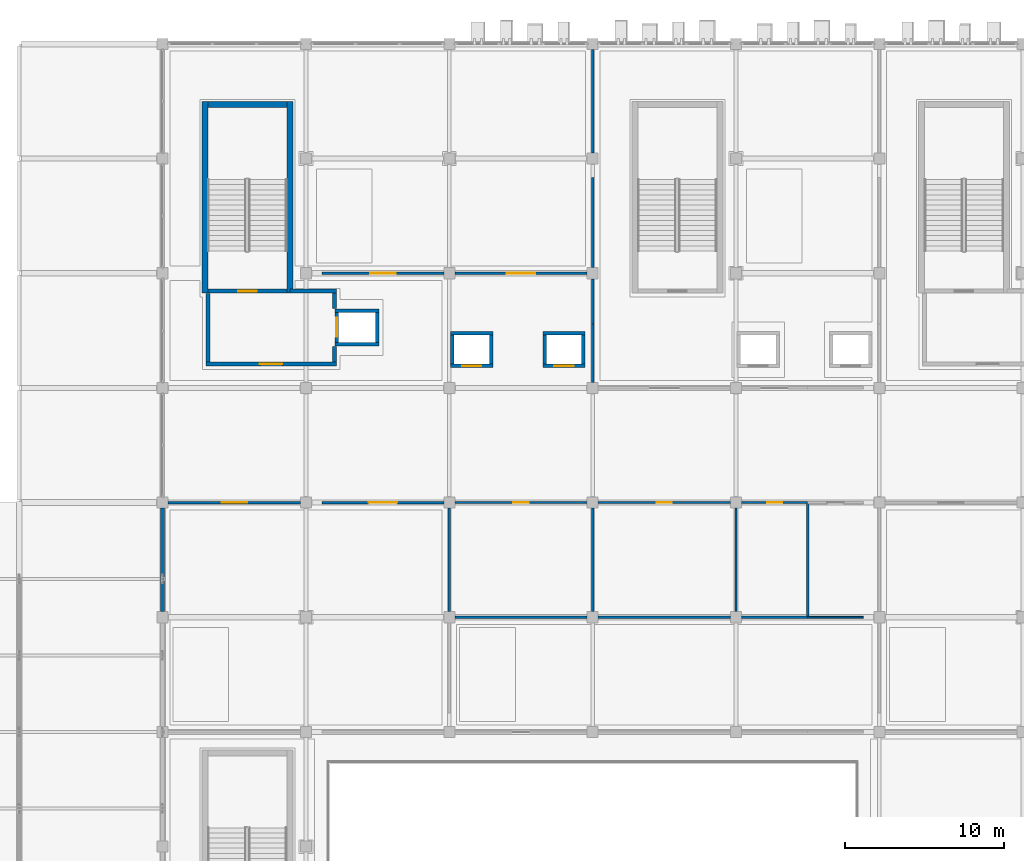
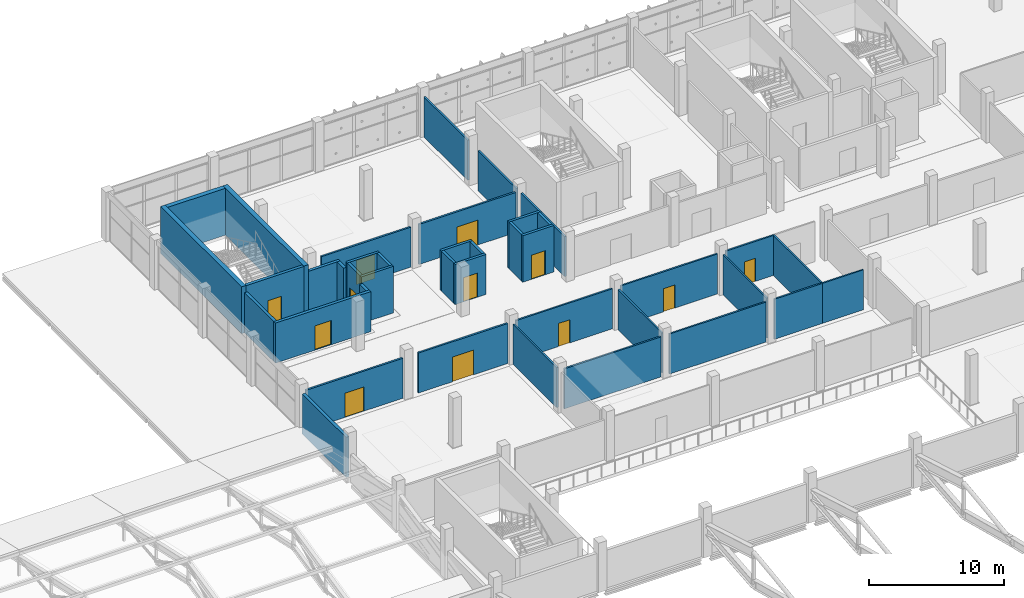
# One storey, part 116 of 151: 41 walls, 12 doors, 12 openings.
"""IFC4 building model written with IfcOpenShell, lengths in metres."""

from ifc_helpers import new_model, si_unit, direction, frame, frame_2d, origin, place, context, subcontext, project, spatial, rectangle, extrude, material, layer, layer_set, type_object, element, fill, save


model = new_model("IFC4")

# Units and contexts
model_context = context("Model", 3, precision=1e-05, world=origin(), true_north=direction((0.0, 1.0)))
body_context = subcontext(model_context, "Body", "Model", "MODEL_VIEW")
ifc_project = project(units=[si_unit("LENGTHUNIT", "METRE"), si_unit("AREAUNIT", "SQUARE_METRE"), si_unit("VOLUMEUNIT", "CUBIC_METRE"), si_unit("PLANEANGLEUNIT", "RADIAN"), si_unit("MASSUNIT", "GRAM", prefix="KILO")], contexts=[model_context])

# Site, building, storey
site_placement = place(None, origin())
site = spatial("IfcSite", under=ifc_project, at=site_placement, CompositionType="ELEMENT")
building_placement = place(site_placement, origin())
building = spatial("IfcBuilding", under=site, at=building_placement, Name="Celestram Park Convention Centre", CompositionType="ELEMENT")
storey_placement = place(building_placement, frame((0.0, 0.0, 10.800048828125)))
storey = spatial("IfcBuildingStorey", under=building, at=storey_placement, Name="L02", CompositionType="ELEMENT", Elevation=10.800048828125)

# Wall, opening, door
ifc_material_1 = material(Name="Concrete Block Masonry C25/30", Category="masonry")
ifc_layer_1 = layer(ifc_material_1, 0.25)
ifc_layer_set_1 = layer_set([ifc_layer_1], Name="Concrete Block Masonry C25/30")
wall_type_1 = type_object("IfcWallType", Name="ARC-WL-COR250", PredefinedType="STANDARD", material=ifc_layer_set_1)
wall_1_placement = place(storey_placement, frame((38.840087890625, 150.074951171875, 0.0), z_axis=(0.0, 0.0, 1.0), x_axis=(1.0, 0.0, 0.0)))
wall_1 = element("IfcWall", 1, at=wall_1_placement, inside=storey, type_object=wall_type_1, Name="Core C1 stair entrance wall", PredefinedType="STANDARD", context=body_context, shape_type="SweptSolid", body=[
    extrude(rectangle(XDim=4.9599609375, YDim=0.25, at=frame_2d((2.47998046875, 0.0))), origin(), (0.0, 0.0, 1.0), 4.219970703125),
])
opening_1_placement = place(wall_1_placement, frame((1.905029296875, 0.0, 0.0)))
opening_1 = element("IfcOpeningElement", 2, at=opening_1_placement, cuts=wall_1, Name="Opening D-ST1", PredefinedType="OPENING", context=body_context, shape_type="SweptSolid", body=[
    extrude(rectangle(XDim=1.14990234375, YDim=2.199951171875, at=frame_2d((0.574951171875, 1.10009765625))), frame((0.0, 0.135009765625, 0.0), z_axis=(0.0, -1.0, 0.0), x_axis=(1.0, 0.0, 0.0)), (0.0, 0.0, 1.0), 0.27001953125),
])
ifc_material_2 = material(Name="Fire-Rated Hollow Metal Steel ASTM A653", Category="steel")
door_type_1 = type_object("IfcDoorType", Name="ARC-DR-ST115", OperationType="NOTDEFINED", PredefinedType="DOOR", material=ifc_material_2)
door_1_placement = place(opening_1_placement, origin())
door_1 = element("IfcDoor", 3, at=door_1_placement, inside=storey, type_object=door_type_1, Name="Exit stair ST-01 fire door", OperationType="SINGLE_SWING_RIGHT", OverallHeight=2.199951171875, OverallWidth=1.14990234375, PredefinedType="DOOR", context=body_context, shape_type="SweptSolid", body=[
    extrude(rectangle(XDim=1.14990234375, YDim=2.199951171875, at=frame_2d((0.574951171875, 1.10009765625))), frame((0.0, 0.02490234375, 0.0), z_axis=(0.0, -1.0, 0.0), x_axis=(1.0, 0.0, 0.0)), (0.0, 0.0, 1.0), 0.050048828125),
])
fill(opening_1, door_1)

# Wall
wall_2_placement = place(storey_placement, frame((38.840087890625, 149.93994140625, 0.0), z_axis=(0.0, 0.0, 1.0), x_axis=(0.0, -1.0, 0.0)))
element("IfcWall", 4, at=wall_2_placement, inside=storey, type_object=wall_type_1, Name="Firefighting Lift Lobby C1 W wall", PredefinedType="STANDARD", context=body_context, shape_type="SweptSolid", body=[
    extrude(rectangle(XDim=4.31494140625, YDim=0.25, at=frame_2d((2.157470703125, 0.0))), origin(), (0.0, 0.0, 1.0), 3.637939453125),
])

# Wall, opening, door
wall_3_placement = place(storey_placement, frame((38.715087890625, 145.5, 0.0), z_axis=(0.0, 0.0, 1.0), x_axis=(1.0, 0.0, 0.0)))
wall_3 = element("IfcWall", 5, at=wall_3_placement, inside=storey, type_object=wall_type_1, Name="Firefighting Lift Lobby C1 S wall", PredefinedType="STANDARD", context=body_context, shape_type="SweptSolid", body=[
    extrude(rectangle(XDim=8.18994140625, YDim=0.25, at=frame_2d((4.094970703125, 0.0))), origin(), (0.0, 0.0, 1.0), 3.637939453125),
])
opening_2_placement = place(wall_3_placement, frame((3.39501953125, 0.0, 0.0)))
opening_2 = element("IfcOpeningElement", 6, at=opening_2_placement, cuts=wall_3, Name="Opening D-LB1", PredefinedType="OPENING", context=body_context, shape_type="SweptSolid", body=[
    extrude(rectangle(XDim=1.39990234375, YDim=2.199951171875, at=frame_2d((0.699951171875, 1.10009765625))), frame((0.0, 0.135009765625, 0.0), z_axis=(0.0, -1.0, 0.0), x_axis=(1.0, 0.0, 0.0)), (0.0, 0.0, 1.0), 0.27001953125),
])
ifc_material_3 = material(Name="Fire-Rated Glazed Steel Frame", Category="steel")
door_type_2 = type_object("IfcDoorType", Name="ARC-DR-LB140", OperationType="NOTDEFINED", PredefinedType="DOOR", material=ifc_material_3)
door_2_placement = place(opening_2_placement, origin())
door_2 = element("IfcDoor", 7, at=door_2_placement, inside=storey, type_object=door_type_2, Name="Firefighting Lift Lobby C1 fire door", OperationType="SINGLE_SWING_RIGHT", OverallHeight=2.199951171875, OverallWidth=1.39990234375, PredefinedType="DOOR", context=body_context, shape_type="SweptSolid", body=[
    extrude(rectangle(XDim=1.39990234375, YDim=2.199951171875, at=frame_2d((0.699951171875, 1.10009765625))), frame((0.0, 0.02490234375, 0.0), z_axis=(0.0, -1.0, 0.0), x_axis=(1.0, 0.0, 0.0)), (0.0, 0.0, 1.0), 0.050048828125),
])
fill(opening_2, door_2)

# Walls
wall_4_placement = place(storey_placement, frame((46.780029296875, 145.625, 0.0), z_axis=(0.0, 0.0, 1.0), x_axis=(0.0, 1.0, 0.0)))
element("IfcWall", 8, at=wall_4_placement, inside=storey, type_object=wall_type_1, Name="Firefighting Lift Lobby C1 ES wall", PredefinedType="STANDARD", context=body_context, shape_type="SweptSolid", body=[
    extrude(rectangle(XDim=0.97509765625, YDim=0.25, at=frame_2d((0.487548828125, 0.0))), origin(), (0.0, 0.0, 1.0), 3.637939453125),
])
wall_5_placement = place(storey_placement, frame((46.780029296875, 149.0, 0.0), z_axis=(0.0, 0.0, 1.0), x_axis=(0.0, 1.0, 0.0)))
element("IfcWall", 9, at=wall_5_placement, inside=storey, type_object=wall_type_1, Name="Firefighting Lift Lobby C1 EN wall", PredefinedType="STANDARD", context=body_context, shape_type="SweptSolid", body=[
    extrude(rectangle(XDim=0.949951171875, YDim=0.25, at=frame_2d((0.47509765625, 0.0))), origin(), (0.0, 0.0, 1.0), 3.637939453125),
])
wall_6_placement = place(storey_placement, frame((44.0, 150.074951171875, 0.0), z_axis=(0.0, 0.0, 1.0), x_axis=(1.0, 0.0, 0.0)))
element("IfcWall", 10, at=wall_6_placement, inside=storey, type_object=wall_type_1, Name="Firefighting Lift Lobby C1 N wall", PredefinedType="STANDARD", context=body_context, shape_type="SweptSolid", body=[
    extrude(rectangle(XDim=2.905029296875, YDim=0.25, at=frame_2d((1.45263671875, 0.0))), origin(), (0.0, 0.0, 1.0), 3.637939453125),
])
ifc_material_4 = material(Name="Precast Concrete C40/50", Category="concrete")
ifc_layer_2 = layer(ifc_material_4, 0.260009765625)
ifc_layer_set_2 = layer_set([ifc_layer_2], Name="Precast Concrete C40/50")
wall_type_2 = type_object("IfcWallType", Name="ARC-WL-EXT260", PredefinedType="STANDARD", material=ifc_layer_set_2)
wall_7_placement = place(storey_placement, frame((36.0, 129.947998046875, 0.0), z_axis=(0.0, 0.0, 1.0), x_axis=(0.0, 1.0, 0.0)))
element("IfcWall", 11, at=wall_7_placement, inside=storey, type_object=wall_type_2, Name="Acoustic hall overlook wall WL-L02-EW161", PredefinedType="STANDARD", context=body_context, shape_type="SweptSolid", body=[
    extrude(rectangle(XDim=6.50390625, YDim=0.260009765625, at=frame_2d((3.251953125, 0.0))), origin(), (0.0, 0.0, 1.0), 3.6279296875),
])
ifc_material_5 = material(Name="Standard Gypsum & Steel Stud 120 mm", Category="steel")
ifc_layer_3 = layer(ifc_material_5, 0.1201171875)
ifc_layer_set_3 = layer_set([ifc_layer_3], Name="Standard Gypsum & Steel Stud 120 mm")
wall_type_3 = type_object("IfcWallType", Name="ARC-WL-PRT120", PredefinedType="PARTITIONING", material=ifc_layer_set_3)
wall_8_placement = place(storey_placement, frame((76.5, 129.60009765625, 0.0), z_axis=(0.0, 0.0, 1.0), x_axis=(1.0, 0.0, 0.0)))
element("IfcWall", 12, at=wall_8_placement, inside=storey, type_object=wall_type_3, Name="Interior partition WL-L02-IN0812", PredefinedType="PARTITIONING", context=body_context, shape_type="SweptSolid", body=[
    extrude(rectangle(XDim=3.5, YDim=0.1201171875, at=frame_2d((1.75, 0.0))), origin(), (0.0, 0.0, 1.0), 3.6279296875),
])
ifc_material_6 = material(Name="Moisture-Resistant Gypsum Partition 140 mm", Category="gypsum")
ifc_layer_4 = layer(ifc_material_6, 0.139892578125)
ifc_layer_set_4 = layer_set([ifc_layer_4], Name="Moisture-Resistant Gypsum Partition 140 mm")
wall_type_4 = type_object("IfcWallType", Name="ARC-WL-PRT140", PredefinedType="PARTITIONING", material=ifc_layer_set_4)
for number, where, z_axis, x_axis, name in (
    (13, (54.347900390625, 129.60009765625, 0.0), (0.0, 0.0, 1.0), (1.0, 0.0, 0.0), "Interior partition WL-L02-IN0809"),
    (14, (63.347900390625, 129.60009765625, 0.0), (0.0, 0.0, 1.0), (1.0, 0.0, 0.0), "Interior partition WL-L02-IN0810"),
):
    element("IfcWall", number, at=place(storey_placement, frame(where, z_axis=z_axis, x_axis=x_axis)), inside=storey, type_object=wall_type_4, Name=name, PredefinedType="PARTITIONING", context=body_context, shape_type="SweptSolid", body=[
        extrude(rectangle(XDim=8.30419921875, YDim=0.139892578125, at=frame_2d((4.152099609375, 0.0))), origin(), (0.0, 0.0, 1.0), 3.6279296875),
    ])
wall_9_placement = place(storey_placement, frame((72.347900390625, 129.60009765625, 0.0), z_axis=(0.0, 0.0, 1.0), x_axis=(1.0, 0.0, 0.0)))
element("IfcWall", 15, at=wall_9_placement, inside=storey, type_object=wall_type_4, Name="Interior partition WL-L02-IN0811", PredefinedType="PARTITIONING", context=body_context, shape_type="SweptSolid", body=[
    extrude(rectangle(XDim=4.152099609375, YDim=0.139892578125, at=frame_2d((2.076171875, 0.0))), origin(), (0.0, 0.0, 1.0), 3.6279296875),
])

# Wall, opening, door
wall_10_placement = place(storey_placement, frame((54.347900390625, 136.800048828125, 0.0), z_axis=(0.0, 0.0, 1.0), x_axis=(1.0, 0.0, 0.0)))
wall_10 = element("IfcWall", 16, at=wall_10_placement, inside=storey, type_object=wall_type_4, Name="Interior partition WL-L02-IN0815", PredefinedType="PARTITIONING", context=body_context, shape_type="SweptSolid", body=[
    extrude(rectangle(XDim=8.30419921875, YDim=0.139892578125, at=frame_2d((4.152099609375, 0.0))), origin(), (0.0, 0.0, 1.0), 3.6279296875),
])
opening_3_placement = place(wall_10_placement, frame((3.677001953125, 0.0, 0.0)))
opening_3 = element("IfcOpeningElement", 17, at=opening_3_placement, cuts=wall_10, Name="Opening D-08", PredefinedType="OPENING", context=body_context, shape_type="SweptSolid", body=[
    extrude(rectangle(XDim=0.949951171875, YDim=2.10009765625, at=frame_2d((0.47509765625, 1.050048828125))), frame((0.0, 0.079833984375, 0.0), z_axis=(0.0, -1.0, 0.0), x_axis=(1.0, 0.0, 0.0)), (0.0, 0.0, 1.0), 0.159912109375),
])
ifc_material_7 = material(Name="Laminate Moisture-Resistant Restroom Door", Category="wood")
door_type_3 = type_object("IfcDoorType", Name="ARC-DR-WC095", OperationType="NOTDEFINED", PredefinedType="DOOR", material=ifc_material_7)
door_3_placement = place(opening_3_placement, origin())
door_3 = element("IfcDoor", 18, at=door_3_placement, inside=storey, type_object=door_type_3, Name="Men Restroom L02 entrance door", OperationType="SINGLE_SWING_RIGHT", OverallHeight=2.10009765625, OverallWidth=0.949951171875, PredefinedType="DOOR", context=body_context, shape_type="SweptSolid", body=[
    extrude(rectangle(XDim=0.949951171875, YDim=2.10009765625, at=frame_2d((0.47509765625, 1.050048828125))), frame((0.0, 0.02490234375, 0.0), z_axis=(0.0, -1.0, 0.0), x_axis=(1.0, 0.0, 0.0)), (0.0, 0.0, 1.0), 0.050048828125),
])
fill(opening_3, door_3)

wall_11_placement = place(storey_placement, frame((63.347900390625, 136.800048828125, 0.0), z_axis=(0.0, 0.0, 1.0), x_axis=(1.0, 0.0, 0.0)))
wall_11 = element("IfcWall", 19, at=wall_11_placement, inside=storey, type_object=wall_type_4, Name="Interior partition WL-L02-IN0816", PredefinedType="PARTITIONING", context=body_context, shape_type="SweptSolid", body=[
    extrude(rectangle(XDim=8.30419921875, YDim=0.139892578125, at=frame_2d((4.152099609375, 0.0))), origin(), (0.0, 0.0, 1.0), 3.6279296875),
])
opening_4_placement = place(wall_11_placement, frame((3.677001953125, 0.0, 0.0)))
opening_4 = element("IfcOpeningElement", 20, at=opening_4_placement, cuts=wall_11, Name="Opening D-08", PredefinedType="OPENING", context=body_context, shape_type="SweptSolid", body=[
    extrude(rectangle(XDim=0.949951171875, YDim=2.10009765625, at=frame_2d((0.47509765625, 1.050048828125))), frame((0.0, 0.079833984375, 0.0), z_axis=(0.0, -1.0, 0.0), x_axis=(1.0, 0.0, 0.0)), (0.0, 0.0, 1.0), 0.159912109375),
])
door_4_placement = place(opening_4_placement, origin())
door_4 = element("IfcDoor", 21, at=door_4_placement, inside=storey, type_object=door_type_3, Name="Women Restroom L02 entrance door", OperationType="SINGLE_SWING_LEFT", OverallHeight=2.10009765625, OverallWidth=0.949951171875, PredefinedType="DOOR", context=body_context, shape_type="SweptSolid", body=[
    extrude(rectangle(XDim=0.949951171875, YDim=2.10009765625, at=frame_2d((0.47509765625, 1.050048828125))), frame((0.0, 0.02490234375, 0.0), z_axis=(0.0, -1.0, 0.0), x_axis=(1.0, 0.0, 0.0)), (0.0, 0.0, 1.0), 0.050048828125),
])
fill(opening_4, door_4)

wall_12_placement = place(storey_placement, frame((72.347900390625, 136.800048828125, 0.0), z_axis=(0.0, 0.0, 1.0), x_axis=(1.0, 0.0, 0.0)))
wall_12 = element("IfcWall", 22, at=wall_12_placement, inside=storey, type_object=wall_type_4, Name="Interior partition WL-L02-IN0817", PredefinedType="PARTITIONING", context=body_context, shape_type="SweptSolid", body=[
    extrude(rectangle(XDim=4.152099609375, YDim=0.139892578125, at=frame_2d((2.076171875, 0.0))), origin(), (0.0, 0.0, 1.0), 3.6279296875),
])
opening_5_placement = place(wall_12_placement, frame((1.60107421875, 0.0, 0.0)))
opening_5 = element("IfcOpeningElement", 23, at=opening_5_placement, cuts=wall_12, Name="Opening D-08", PredefinedType="OPENING", context=body_context, shape_type="SweptSolid", body=[
    extrude(rectangle(XDim=0.949951171875, YDim=2.10009765625, at=frame_2d((0.47509765625, 1.050048828125))), frame((0.0, 0.079833984375, 0.0), z_axis=(0.0, -1.0, 0.0), x_axis=(1.0, 0.0, 0.0)), (0.0, 0.0, 1.0), 0.159912109375),
])
door_5_placement = place(opening_5_placement, origin())
door_5 = element("IfcDoor", 24, at=door_5_placement, inside=storey, type_object=door_type_3, Name="Accessible Restroom L02 entrance door", OperationType="SINGLE_SWING_RIGHT", OverallHeight=2.10009765625, OverallWidth=0.949951171875, PredefinedType="DOOR", context=body_context, shape_type="SweptSolid", body=[
    extrude(rectangle(XDim=0.949951171875, YDim=2.10009765625, at=frame_2d((0.47509765625, 1.050048828125))), frame((0.0, 0.02490234375, 0.0), z_axis=(0.0, -1.0, 0.0), x_axis=(1.0, 0.0, 0.0)), (0.0, 0.0, 1.0), 0.050048828125),
])
fill(opening_5, door_5)

# Walls
for number, where, z_axis, x_axis, name in (
    (25, (54.0, 129.947998046875, 0.0), (0.0, 0.0, 1.0), (0.0, 1.0, 0.0), "Interior partition WL-L02-IN0834"),
    (26, (63.0, 129.947998046875, 0.0), (0.0, 0.0, 1.0), (0.0, 1.0, 0.0), "Interior partition WL-L02-IN0835"),
    (27, (72.0, 129.947998046875, 0.0), (0.0, 0.0, 1.0), (0.0, 1.0, 0.0), "Interior partition WL-L02-IN0840"),
):
    element("IfcWall", number, at=place(storey_placement, frame(where, z_axis=z_axis, x_axis=x_axis)), inside=storey, type_object=wall_type_4, Name=name, PredefinedType="PARTITIONING", context=body_context, shape_type="SweptSolid", body=[
        extrude(rectangle(XDim=6.50390625, YDim=0.139892578125, at=frame_2d((3.251953125, 0.0))), origin(), (0.0, 0.0, 1.0), 3.6279296875),
    ])
wall_13_placement = place(storey_placement, frame((76.5, 129.60009765625, 0.0), z_axis=(0.0, 0.0, 1.0), x_axis=(0.0, 1.0, 0.0)))
element("IfcWall", 28, at=wall_13_placement, inside=storey, type_object=wall_type_4, Name="Interior partition WL-L02-IN0841", PredefinedType="PARTITIONING", context=body_context, shape_type="SweptSolid", body=[
    extrude(rectangle(XDim=7.199951171875, YDim=0.139892578125, at=frame_2d((3.60009765625, 0.0))), origin(), (0.0, 0.0, 1.0), 3.6279296875),
])

# Wall, opening, door
ifc_material_8 = material(Name="Acoustic Gypsum & Steel Stud 160 mm", Category="steel")
ifc_layer_5 = layer(ifc_material_8, 0.159912109375)
ifc_layer_set_5 = layer_set([ifc_layer_5], Name="Acoustic Gypsum & Steel Stud 160 mm")
wall_type_5 = type_object("IfcWallType", Name="ARC-WL-PRT160", PredefinedType="PARTITIONING", material=ifc_layer_set_5)
wall_14_placement = place(storey_placement, frame((36.347900390625, 136.800048828125, 0.0), z_axis=(0.0, 0.0, 1.0), x_axis=(1.0, 0.0, 0.0)))
wall_14 = element("IfcWall", 29, at=wall_14_placement, inside=storey, type_object=wall_type_5, Name="Interior partition WL-L02-IN0813", PredefinedType="PARTITIONING", context=body_context, shape_type="SweptSolid", body=[
    extrude(rectangle(XDim=8.30419921875, YDim=0.159912109375, at=frame_2d((4.152099609375, 0.0))), origin(), (0.0, 0.0, 1.0), 3.6279296875),
])
opening_6_placement = place(wall_14_placement, frame((3.35205078125, 0.0, 0.0)))
opening_6 = element("IfcOpeningElement", 30, at=opening_6_placement, cuts=wall_14, Name="Opening D-05", PredefinedType="OPENING", context=body_context, shape_type="SweptSolid", body=[
    extrude(rectangle(XDim=1.60009765625, YDim=2.199951171875, at=frame_2d((0.800048828125, 1.10009765625))), frame((0.0, 0.08984375, 0.0), z_axis=(0.0, -1.0, 0.0), x_axis=(1.0, 0.0, 0.0)), (0.0, 0.0, 1.0), 0.179931640625),
])
ifc_material_9 = material(Name="Solid White Oak Double Door", Category="wood")
door_type_4 = type_object("IfcDoorType", Name="ARC-DR-MTG160", OperationType="NOTDEFINED", PredefinedType="DOOR", material=ifc_material_9)
door_6_placement = place(opening_6_placement, origin())
door_6 = element("IfcDoor", 31, at=door_6_placement, inside=storey, type_object=door_type_4, Name="Symposium Hall 201 entrance door", OperationType="DOUBLE_DOOR_SINGLE_SWING", OverallHeight=2.199951171875, OverallWidth=1.60009765625, PredefinedType="DOOR", context=body_context, shape_type="SweptSolid", body=[
    extrude(rectangle(XDim=1.60009765625, YDim=2.199951171875, at=frame_2d((0.800048828125, 1.10009765625))), frame((0.0, 0.02490234375, 0.0), z_axis=(0.0, -1.0, 0.0), x_axis=(1.0, 0.0, 0.0)), (0.0, 0.0, 1.0), 0.050048828125),
])
fill(opening_6, door_6)

wall_15_placement = place(storey_placement, frame((46.0, 136.800048828125, 0.0), z_axis=(0.0, 0.0, 1.0), x_axis=(1.0, 0.0, 0.0)))
wall_15 = element("IfcWall", 32, at=wall_15_placement, inside=storey, type_object=wall_type_5, Name="Interior partition WL-L02-IN0814", PredefinedType="PARTITIONING", context=body_context, shape_type="SweptSolid", body=[
    extrude(rectangle(XDim=7.652099609375, YDim=0.159912109375, at=frame_2d((3.826171875, 0.0))), origin(), (0.0, 0.0, 1.0), 3.6279296875),
])
opening_7_placement = place(wall_15_placement, frame((2.926025390625, 0.0, 0.0)))
opening_7 = element("IfcOpeningElement", 33, at=opening_7_placement, cuts=wall_15, Name="Opening D-04", PredefinedType="OPENING", context=body_context, shape_type="SweptSolid", body=[
    extrude(rectangle(XDim=1.800048828125, YDim=2.25, at=frame_2d((0.89990234375, 1.125))), frame((0.0, 0.08984375, 0.0), z_axis=(0.0, -1.0, 0.0), x_axis=(1.0, 0.0, 0.0)), (0.0, 0.0, 1.0), 0.179931640625),
])
ifc_material_10 = material(Name="Solid White Oak Acoustic Double Door", Category="wood")
door_type_5 = type_object("IfcDoorType", Name="ARC-DR-MTG180", OperationType="NOTDEFINED", PredefinedType="DOOR", material=ifc_material_10)
door_7_placement = place(opening_7_placement, origin())
door_7 = element("IfcDoor", 34, at=door_7_placement, inside=storey, type_object=door_type_5, Name="Symposium Hall 201 entrance door", OperationType="DOUBLE_DOOR_SINGLE_SWING", OverallHeight=2.25, OverallWidth=1.800048828125, PredefinedType="DOOR", context=body_context, shape_type="SweptSolid", body=[
    extrude(rectangle(XDim=1.800048828125, YDim=2.25, at=frame_2d((0.89990234375, 1.125))), frame((0.0, 0.02490234375, 0.0), z_axis=(0.0, -1.0, 0.0), x_axis=(1.0, 0.0, 0.0)), (0.0, 0.0, 1.0), 0.050048828125),
])
fill(opening_7, door_7)

wall_16_placement = place(storey_placement, frame((46.0, 151.199951171875, 0.0), z_axis=(0.0, 0.0, 1.0), x_axis=(1.0, 0.0, 0.0)))
wall_16 = element("IfcWall", 35, at=wall_16_placement, inside=storey, type_object=wall_type_5, Name="Interior partition WL-L02-IN0829", PredefinedType="PARTITIONING", context=body_context, shape_type="SweptSolid", body=[
    extrude(rectangle(XDim=7.652099609375, YDim=0.159912109375, at=frame_2d((3.826171875, 0.0))), origin(), (0.0, 0.0, 1.0), 3.6279296875),
])
opening_8_placement = place(wall_16_placement, frame((3.02587890625, 0.0, 0.0)))
opening_8 = element("IfcOpeningElement", 36, at=opening_8_placement, cuts=wall_16, Name="Opening D-05", PredefinedType="OPENING", context=body_context, shape_type="SweptSolid", body=[
    extrude(rectangle(XDim=1.60009765625, YDim=2.199951171875, at=frame_2d((0.800048828125, 1.10009765625))), frame((0.0, 0.08984375, 0.0), z_axis=(0.0, -1.0, 0.0), x_axis=(1.0, 0.0, 0.0)), (0.0, 0.0, 1.0), 0.179931640625),
])
door_8_placement = place(opening_8_placement, origin())
door_8 = element("IfcDoor", 37, at=door_8_placement, inside=storey, type_object=door_type_4, Name="Symposium Hall 204 entrance door", OperationType="DOUBLE_DOOR_SINGLE_SWING", OverallHeight=2.199951171875, OverallWidth=1.60009765625, PredefinedType="DOOR", context=body_context, shape_type="SweptSolid", body=[
    extrude(rectangle(XDim=1.60009765625, YDim=2.199951171875, at=frame_2d((0.800048828125, 1.10009765625))), frame((0.0, 0.02490234375, 0.0), z_axis=(0.0, -1.0, 0.0), x_axis=(1.0, 0.0, 0.0)), (0.0, 0.0, 1.0), 0.050048828125),
])
fill(opening_8, door_8)

wall_17_placement = place(storey_placement, frame((54.347900390625, 151.199951171875, 0.0), z_axis=(0.0, 0.0, 1.0), x_axis=(1.0, 0.0, 0.0)))
wall_17 = element("IfcWall", 38, at=wall_17_placement, inside=storey, type_object=wall_type_5, Name="Interior partition WL-L02-IN0830", PredefinedType="PARTITIONING", context=body_context, shape_type="SweptSolid", body=[
    extrude(rectangle(XDim=8.30419921875, YDim=0.159912109375, at=frame_2d((4.152099609375, 0.0))), origin(), (0.0, 0.0, 1.0), 3.6279296875),
])
opening_9_placement = place(wall_17_placement, frame((3.251953125, 0.0, 0.0)))
opening_9 = element("IfcOpeningElement", 39, at=opening_9_placement, cuts=wall_17, Name="Opening D-04", PredefinedType="OPENING", context=body_context, shape_type="SweptSolid", body=[
    extrude(rectangle(XDim=1.800048828125, YDim=2.25, at=frame_2d((0.89990234375, 1.125))), frame((0.0, 0.08984375, 0.0), z_axis=(0.0, -1.0, 0.0), x_axis=(1.0, 0.0, 0.0)), (0.0, 0.0, 1.0), 0.179931640625),
])
door_9_placement = place(opening_9_placement, origin())
door_9 = element("IfcDoor", 40, at=door_9_placement, inside=storey, type_object=door_type_5, Name="Symposium Hall 204 entrance door", OperationType="DOUBLE_DOOR_SINGLE_SWING", OverallHeight=2.25, OverallWidth=1.800048828125, PredefinedType="DOOR", context=body_context, shape_type="SweptSolid", body=[
    extrude(rectangle(XDim=1.800048828125, YDim=2.25, at=frame_2d((0.89990234375, 1.125))), frame((0.0, 0.02490234375, 0.0), z_axis=(0.0, -1.0, 0.0), x_axis=(1.0, 0.0, 0.0)), (0.0, 0.0, 1.0), 0.050048828125),
])
fill(opening_9, door_9)

# Walls
wall_18_placement = place(storey_placement, frame((63.0, 144.347900390625, 0.0), z_axis=(0.0, 0.0, 1.0), x_axis=(0.0, 1.0, 0.0)))
element("IfcWall", 41, at=wall_18_placement, inside=storey, type_object=wall_type_5, Name="Interior partition WL-L02-IN0836", PredefinedType="PARTITIONING", context=body_context, shape_type="SweptSolid", body=[
    extrude(rectangle(XDim=3.652099609375, YDim=0.159912109375, at=frame_2d((1.826171875, 0.0))), origin(), (0.0, 0.0, 1.0), 3.6279296875),
])
wall_19_placement = place(storey_placement, frame((63.0, 148.0, 0.0), z_axis=(0.0, 0.0, 1.0), x_axis=(0.0, 1.0, 0.0)))
element("IfcWall", 42, at=wall_19_placement, inside=storey, type_object=wall_type_5, Name="Interior partition WL-L02-IN0837", PredefinedType="PARTITIONING", context=body_context, shape_type="SweptSolid", body=[
    extrude(rectangle(XDim=2.85205078125, YDim=0.159912109375, at=frame_2d((1.426025390625, 0.0))), origin(), (0.0, 0.0, 1.0), 3.6279296875),
])
wall_20_placement = place(storey_placement, frame((63.0, 151.548095703125, 0.0), z_axis=(0.0, 0.0, 1.0), x_axis=(0.0, 1.0, 0.0)))
element("IfcWall", 43, at=wall_20_placement, inside=storey, type_object=wall_type_5, Name="Interior partition WL-L02-IN0838", PredefinedType="PARTITIONING", context=body_context, shape_type="SweptSolid", body=[
    extrude(rectangle(XDim=5.65185546875, YDim=0.159912109375, at=frame_2d((2.825927734375, 0.0))), origin(), (0.0, 0.0, 1.0), 3.6279296875),
])
wall_21_placement = place(storey_placement, frame((63.0, 158.748046875, 0.0), z_axis=(0.0, 0.0, 1.0), x_axis=(0.0, 1.0, 0.0)))
element("IfcWall", 44, at=wall_21_placement, inside=storey, type_object=wall_type_5, Name="Interior partition WL-L02-IN0839", PredefinedType="PARTITIONING", context=body_context, shape_type="SweptSolid", body=[
    extrude(rectangle(XDim=6.50390625, YDim=0.159912109375, at=frame_2d((3.251953125, 0.0))), origin(), (0.0, 0.0, 1.0), 3.6279296875),
])
ifc_layer_6 = layer(ifc_material_1, 0.219970703125)
ifc_layer_set_6 = layer_set([ifc_layer_6], Name="Concrete Block Masonry C25/30")
wall_type_6 = type_object("IfcWallType", Name="ARC-WL-SHF220", PredefinedType="STANDARD", material=ifc_layer_set_6)
for number, where, z_axis, x_axis, name in (
    (45, (46.820068359375, 146.7548828125, 0.0), (0.0, 0.0, 1.0), (1.0, 0.0, 0.0), "Lift LF-01 shaft wall S"),
    (46, (49.580078125, 148.844970703125, 0.0), (0.0, 0.0, 1.0), (-1.0, 0.0, 0.0), "Lift LF-01 shaft wall N"),
):
    element("IfcWall", number, at=place(storey_placement, frame(where, z_axis=z_axis, x_axis=x_axis)), inside=storey, type_object=wall_type_6, Name=name, PredefinedType="STANDARD", context=body_context, shape_type="SweptSolid", body=[
        extrude(rectangle(XDim=2.760009765625, YDim=0.219970703125, at=frame_2d((1.3798828125, 0.0))), origin(), (0.0, 0.0, 1.0), 4.219970703125),
    ])

# Wall, opening, door
wall_22_placement = place(storey_placement, frame((46.929931640625, 148.735107421875, 0.0), z_axis=(0.0, 0.0, 1.0), x_axis=(0.0, -1.0, 0.0)))
wall_22 = element("IfcWall", 47, at=wall_22_placement, inside=storey, type_object=wall_type_6, Name="Lift LF-01 shaft wall W", PredefinedType="STANDARD", context=body_context, shape_type="SweptSolid", body=[
    extrude(rectangle(XDim=1.8701171875, YDim=0.219970703125, at=frame_2d((0.93505859375, 0.0))), origin(), (0.0, 0.0, 1.0), 4.219970703125),
])
opening_10_placement = place(wall_22_placement, frame((0.3349609375, 0.0, 0.0)))
opening_10 = element("IfcOpeningElement", 48, at=opening_10_placement, cuts=wall_22, Name="Opening LD-01", PredefinedType="OPENING", context=body_context, shape_type="SweptSolid", body=[
    extrude(rectangle(XDim=1.199951171875, YDim=2.199951171875, at=frame_2d((0.60009765625, 1.10009765625))), frame((0.0, 0.119873046875, 0.0), z_axis=(0.0, -1.0, 0.0), x_axis=(1.0, 0.0, 0.0)), (0.0, 0.0, 1.0), 0.239990234375),
])
ifc_material_11 = material(Name="Brushed Stainless Steel AISI 304", Category="steel")
door_type_6 = type_object("IfcDoorType", Name="ARC-DR-LFT120", OperationType="NOTDEFINED", PredefinedType="DOOR", material=ifc_material_11)
door_10_placement = place(opening_10_placement, origin())
door_10 = element("IfcDoor", 49, at=door_10_placement, inside=storey, type_object=door_type_6, Name="Lift LF-01 sliding landing door", OperationType="DOUBLE_DOOR_SLIDING", OverallHeight=2.199951171875, OverallWidth=1.199951171875, PredefinedType="DOOR", context=body_context, shape_type="SweptSolid", body=[
    extrude(rectangle(XDim=1.199951171875, YDim=2.199951171875, at=frame_2d((0.60009765625, 1.10009765625))), frame((0.0, 0.02490234375, 0.0), z_axis=(0.0, -1.0, 0.0), x_axis=(1.0, 0.0, 0.0)), (0.0, 0.0, 1.0), 0.050048828125),
])
fill(opening_10, door_10)

# Wall
wall_23_placement = place(storey_placement, frame((49.469970703125, 146.864990234375, 0.0), z_axis=(0.0, 0.0, 1.0), x_axis=(0.0, 1.0, 0.0)))
element("IfcWall", 50, at=wall_23_placement, inside=storey, type_object=wall_type_6, Name="Lift LF-01 shaft wall E", PredefinedType="STANDARD", context=body_context, shape_type="SweptSolid", body=[
    extrude(rectangle(XDim=1.8701171875, YDim=0.219970703125, at=frame_2d((0.93505859375, 0.0))), origin(), (0.0, 0.0, 1.0), 4.219970703125),
])

# Wall, opening, door
wall_24_placement = place(storey_placement, frame((54.070068359375, 145.3798828125, 0.0), z_axis=(0.0, 0.0, 1.0), x_axis=(1.0, 0.0, 0.0)))
wall_24 = element("IfcWall", 51, at=wall_24_placement, inside=storey, type_object=wall_type_6, Name="Lift LP-01 shaft wall S", PredefinedType="STANDARD", context=body_context, shape_type="SweptSolid", body=[
    extrude(rectangle(XDim=2.659912109375, YDim=0.219970703125, at=frame_2d((1.330078125, 0.0))), origin(), (0.0, 0.0, 1.0), 3.637939453125),
])
opening_11_placement = place(wall_24_placement, frame((0.72998046875, 0.0, 0.0)))
opening_11 = element("IfcOpeningElement", 52, at=opening_11_placement, cuts=wall_24, Name="Opening LD-01", PredefinedType="OPENING", context=body_context, shape_type="SweptSolid", body=[
    extrude(rectangle(XDim=1.199951171875, YDim=2.199951171875, at=frame_2d((0.60009765625, 1.10009765625))), frame((0.0, 0.119873046875, 0.0), z_axis=(0.0, -1.0, 0.0), x_axis=(1.0, 0.0, 0.0)), (0.0, 0.0, 1.0), 0.239990234375),
])
door_11_placement = place(opening_11_placement, origin())
door_11 = element("IfcDoor", 53, at=door_11_placement, inside=storey, type_object=door_type_6, Name="Lift LP-01 sliding landing door", OperationType="DOUBLE_DOOR_SLIDING", OverallHeight=2.199951171875, OverallWidth=1.199951171875, PredefinedType="DOOR", context=body_context, shape_type="SweptSolid", body=[
    extrude(rectangle(XDim=1.199951171875, YDim=2.199951171875, at=frame_2d((0.60009765625, 1.10009765625))), frame((0.0, 0.02490234375, 0.0), z_axis=(0.0, -1.0, 0.0), x_axis=(1.0, 0.0, 0.0)), (0.0, 0.0, 1.0), 0.050048828125),
])
fill(opening_11, door_11)

# Walls
wall_25_placement = place(storey_placement, frame((56.72998046875, 147.419921875, 0.0), z_axis=(0.0, 0.0, 1.0), x_axis=(-1.0, 0.0, 0.0)))
element("IfcWall", 54, at=wall_25_placement, inside=storey, type_object=wall_type_6, Name="Lift LP-01 shaft wall N", PredefinedType="STANDARD", context=body_context, shape_type="SweptSolid", body=[
    extrude(rectangle(XDim=2.659912109375, YDim=0.219970703125, at=frame_2d((1.330078125, 0.0))), origin(), (0.0, 0.0, 1.0), 3.637939453125),
])
for number, where, z_axis, x_axis, name in (
    (55, (54.179931640625, 147.31005859375, 0.0), (0.0, 0.0, 1.0), (0.0, -1.0, 0.0), "Lift LP-01 shaft wall W"),
    (56, (56.6201171875, 145.489990234375, 0.0), (0.0, 0.0, 1.0), (0.0, 1.0, 0.0), "Lift LP-01 shaft wall E"),
):
    element("IfcWall", number, at=place(storey_placement, frame(where, z_axis=z_axis, x_axis=x_axis)), inside=storey, type_object=wall_type_6, Name=name, PredefinedType="STANDARD", context=body_context, shape_type="SweptSolid", body=[
        extrude(rectangle(XDim=1.820068359375, YDim=0.219970703125, at=frame_2d((0.91015625, 0.0))), origin(), (0.0, 0.0, 1.0), 3.637939453125),
    ])

# Wall, opening, door
wall_26_placement = place(storey_placement, frame((59.8701171875, 145.3798828125, 0.0), z_axis=(0.0, 0.0, 1.0), x_axis=(1.0, 0.0, 0.0)))
wall_26 = element("IfcWall", 57, at=wall_26_placement, inside=storey, type_object=wall_type_6, Name="Lift LP-02 shaft wall S", PredefinedType="STANDARD", context=body_context, shape_type="SweptSolid", body=[
    extrude(rectangle(XDim=2.659912109375, YDim=0.219970703125, at=frame_2d((1.330078125, 0.0))), origin(), (0.0, 0.0, 1.0), 4.219970703125),
])
opening_12_placement = place(wall_26_placement, frame((0.72998046875, 0.0, 0.0)))
opening_12 = element("IfcOpeningElement", 58, at=opening_12_placement, cuts=wall_26, Name="Opening LD-01", PredefinedType="OPENING", context=body_context, shape_type="SweptSolid", body=[
    extrude(rectangle(XDim=1.199951171875, YDim=2.199951171875, at=frame_2d((0.60009765625, 1.10009765625))), frame((0.0, 0.119873046875, 0.0), z_axis=(0.0, -1.0, 0.0), x_axis=(1.0, 0.0, 0.0)), (0.0, 0.0, 1.0), 0.239990234375),
])
door_12_placement = place(opening_12_placement, origin())
door_12 = element("IfcDoor", 59, at=door_12_placement, inside=storey, type_object=door_type_6, Name="Lift LP-02 sliding landing door", OperationType="DOUBLE_DOOR_SLIDING", OverallHeight=2.199951171875, OverallWidth=1.199951171875, PredefinedType="DOOR", context=body_context, shape_type="SweptSolid", body=[
    extrude(rectangle(XDim=1.199951171875, YDim=2.199951171875, at=frame_2d((0.60009765625, 1.10009765625))), frame((0.0, 0.02490234375, 0.0), z_axis=(0.0, -1.0, 0.0), x_axis=(1.0, 0.0, 0.0)), (0.0, 0.0, 1.0), 0.050048828125),
])
fill(opening_12, door_12)

# Walls
wall_27_placement = place(storey_placement, frame((62.530029296875, 147.419921875, 0.0), z_axis=(0.0, 0.0, 1.0), x_axis=(-1.0, 0.0, 0.0)))
element("IfcWall", 60, at=wall_27_placement, inside=storey, type_object=wall_type_6, Name="Lift LP-02 shaft wall N", PredefinedType="STANDARD", context=body_context, shape_type="SweptSolid", body=[
    extrude(rectangle(XDim=2.659912109375, YDim=0.219970703125, at=frame_2d((1.330078125, 0.0))), origin(), (0.0, 0.0, 1.0), 4.219970703125),
])
for number, where, z_axis, x_axis, name in (
    (61, (59.97998046875, 147.31005859375, 0.0), (0.0, 0.0, 1.0), (0.0, -1.0, 0.0), "Lift LP-02 shaft wall W"),
    (62, (62.419921875, 145.489990234375, 0.0), (0.0, 0.0, 1.0), (0.0, 1.0, 0.0), "Lift LP-02 shaft wall E"),
):
    element("IfcWall", number, at=place(storey_placement, frame(where, z_axis=z_axis, x_axis=x_axis)), inside=storey, type_object=wall_type_6, Name=name, PredefinedType="STANDARD", context=body_context, shape_type="SweptSolid", body=[
        extrude(rectangle(XDim=1.820068359375, YDim=0.219970703125, at=frame_2d((0.91015625, 0.0))), origin(), (0.0, 0.0, 1.0), 4.219970703125),
    ])
ifc_material_12 = material(Name="Concrete C40/50", Category="concrete")
ifc_layer_7 = layer(ifc_material_12, 0.3798828125)
ifc_layer_set_7 = layer_set([ifc_layer_7], Name="Concrete C40/50")
wall_type_7 = type_object("IfcWallType", Name="STR-WL-SHR380", PredefinedType="SHEAR", material=ifc_layer_set_7)
for number, where, z_axis, x_axis, name in (
    (63, (38.64990234375, 149.949951171875, 0.0), (0.0, 0.0, 1.0), (0.0, 1.0, 0.0), "Core C1 shear wall L"),
    (64, (43.989990234375, 161.97998046875, 0.0), (0.0, 0.0, 1.0), (0.0, -1.0, 0.0), "Core C1 shear wall R"),
):
    element("IfcWall", number, at=place(storey_placement, frame(where, z_axis=z_axis, x_axis=x_axis)), inside=storey, type_object=wall_type_7, Name=name, PredefinedType="SHEAR", context=body_context, shape_type="SweptSolid", body=[
        extrude(rectangle(XDim=12.030029296875, YDim=0.3798828125, at=frame_2d((6.01513671875, 0.0))), origin(), (0.0, 0.0, 1.0), 4.25),
    ])
wall_28_placement = place(storey_placement, frame((38.840087890625, 161.7900390625, 0.0), z_axis=(0.0, 0.0, 1.0), x_axis=(1.0, 0.0, 0.0)))
element("IfcWall", 65, at=wall_28_placement, inside=storey, type_object=wall_type_7, Name="Core C1 shear wall F", PredefinedType="SHEAR", context=body_context, shape_type="SweptSolid", body=[
    extrude(rectangle(XDim=4.9599609375, YDim=0.3798828125, at=frame_2d((2.47998046875, 0.0))), origin(), (0.0, 0.0, 1.0), 4.25),
])

save(model, "model.ifc")
